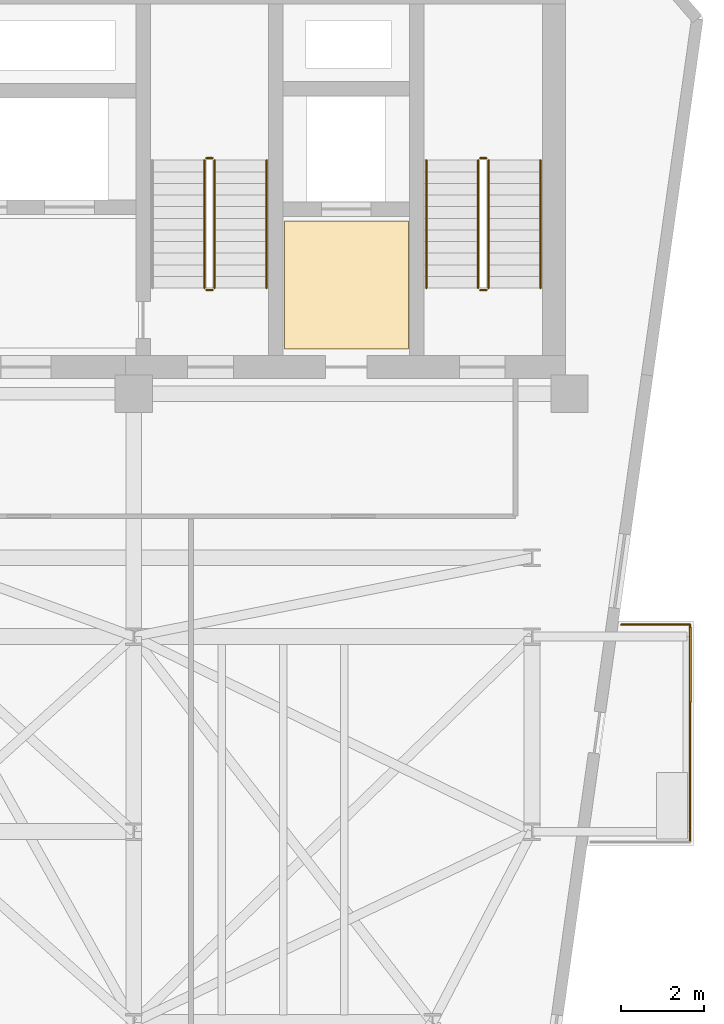
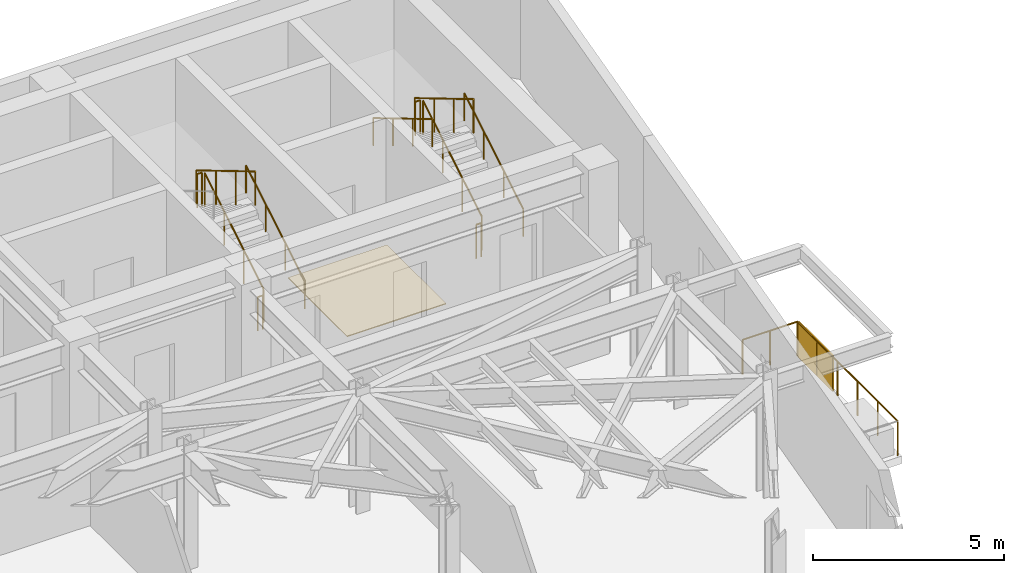
# One storey, part 21 of 21: 13 railings, 1 covering, 1 shading device.
"""IFC4 building model written with IfcOpenShell, lengths in metres."""

from ifc_helpers import new_model, si_unit, direction, frame, origin, origin_2d, place, context, subcontext, project, spatial, polyline, rectangle, circle, outline, extrude, material, layer, layer_set, type_object, element, save


model = new_model("IFC4")

# Units and contexts
model_context = context("Model", 3, precision=1e-05, world=origin(), true_north=direction((0.0, 1.0)))
body_context = subcontext(model_context, "Body", "Model", "MODEL_VIEW")
ifc_project = project(units=[si_unit("LENGTHUNIT", "METRE"), si_unit("AREAUNIT", "SQUARE_METRE"), si_unit("VOLUMEUNIT", "CUBIC_METRE"), si_unit("PLANEANGLEUNIT", "RADIAN"), si_unit("MASSUNIT", "GRAM", prefix="KILO")], contexts=[model_context])

# Site, building, storey
site_placement = place(None, origin())
site = spatial("IfcSite", under=ifc_project, at=site_placement, CompositionType="ELEMENT")
building_placement = place(site_placement, origin())
building = spatial("IfcBuilding", under=site, at=building_placement, Name="Kravanh Interchange Tower", CompositionType="ELEMENT")
storey_placement = place(building_placement, frame((0.0, 0.0, 192.5)))
storey = spatial("IfcBuildingStorey", under=building, at=storey_placement, Name="L46", CompositionType="ELEMENT", Elevation=192.5)

# Covering
ifc_material_1 = material(Name="Cementitious Terrazzo Tile")
ifc_layer_1 = layer(ifc_material_1, 0.030029296875)
ifc_layer_set_1 = layer_set([ifc_layer_1], Name="Honed Terrazzo Lobby Flooring 30mm")
covering_type = type_object("IfcCoveringType", Name="Honed Terrazzo Lobby Flooring 30mm", PredefinedType="FLOORING", material=ifc_layer_set_1)
covering_placement = place(storey_placement, origin())
element("IfcCovering", 1, at=covering_placement, inside=storey, type_object=covering_type, Name="L46 Service Lift Lobby Floor Finish", PredefinedType="FLOORING", context=body_context, shape_type="SweptSolid", body=[
    extrude(outline(polyline([(59.6298828125, 41.52001953125), (62.6201171875, 41.52001953125), (62.6201171875, 38.429931640625), (59.6298828125, 38.429931640625), (59.6298828125, 41.52001953125)])), origin(), (0.0, 0.0, 1.0), 0.030029296875),
])

# Shading device
ifc_material_2 = material(Name="Perforated Anodised Bronze Aluminium", Category="aluminium")
ifc_layer_2 = layer(ifc_material_2, 0.0400390625)
ifc_layer_set_2 = layer_set([ifc_layer_2], Name="Perforated Bronze Balcony Privacy Screen 1150mm")
shading_device_type = type_object("IfcShadingDeviceType", Name="Perforated Bronze Balcony Privacy Screen 1150mm", PredefinedType="USERDEFINED", material=ifc_layer_set_2)
shading_device_placement = place(storey_placement, frame((69.409912109375, 30.820068359375, 0.0), z_axis=(0.0, 0.0, 1.0), x_axis=(1.0, 0.0, 0.0)))
element("IfcShadingDevice", 2, at=shading_device_placement, inside=storey, type_object=shading_device_type, Name="L46 E Perforated Bronze BALCONY SCREEN", ObjectType="SCREEN", PredefinedType="USERDEFINED", context=body_context, shape_type="SweptSolid", body=[
    extrude(rectangle(XDim=0.0400390625, YDim=1.800048828125, at=origin_2d()), origin(), (0.0, 0.0, 1.0), 1.14990234375),
])

# Railings
ifc_material_3 = material(Name="Stainless Steel 316", Category="steel")
ifc_layer_3 = layer(ifc_material_3, 0.06005859375)
ifc_layer_set_3 = layer_set([ifc_layer_3], Name="Perimeter Balcony and Terrace Guardrail Stainless 316 1120mm")
railing_type_1 = type_object("IfcRailingType", Name="Perimeter Balcony and Terrace Guardrail Stainless 316 1120mm", PredefinedType="GUARDRAIL", material=ifc_layer_set_3)
railing_1_placement = place(storey_placement, frame((69.409912109375, 31.7900390625, 0.0)))
element("IfcRailing", 3, at=railing_1_placement, inside=storey, type_object=railing_type_1, Name="L46 E Balcony Guardrail 1", PredefinedType="GUARDRAIL", context=body_context, shape_type="SweptSolid", body=[
    extrude(circle(Radius=0.02392578125, at=origin_2d()), frame((0.0, 0.0, 1.09619140625), z_axis=(0.0, -1.0, 0.0), x_axis=(1.0, 0.0, 0.0)), (0.0, 0.0, 1.0), 5.239990234375),
    extrude(circle(Radius=0.02099609375, at=origin_2d()), origin(), (0.0, 0.0, 1.0), 1.072021484375),
    extrude(circle(Radius=0.02099609375, at=origin_2d()), frame((0.0, -1.048095703125, 0.0)), (0.0, 0.0, 1.0), 1.072021484375),
    extrude(circle(Radius=0.02099609375, at=origin_2d()), frame((0.0, -2.095947265625, 0.0)), (0.0, 0.0, 1.0), 1.072021484375),
    extrude(circle(Radius=0.02099609375, at=origin_2d()), frame((0.0, -3.14404296875, 0.0)), (0.0, 0.0, 1.0), 1.072021484375),
    extrude(circle(Radius=0.02099609375, at=origin_2d()), frame((0.0, -4.19189453125, 0.0)), (0.0, 0.0, 1.0), 1.072021484375),
    extrude(circle(Radius=0.02099609375, at=origin_2d()), frame((0.0, -5.239990234375, 0.0)), (0.0, 0.0, 1.0), 1.072021484375),
])
railing_2_placement = place(storey_placement, frame((67.747314453125, 31.7900390625, 0.0)))
element("IfcRailing", 4, at=railing_2_placement, inside=storey, type_object=railing_type_1, Name="L46 E Balcony Guardrail 3", PredefinedType="GUARDRAIL", context=body_context, shape_type="SweptSolid", body=[
    extrude(circle(Radius=0.02392578125, at=origin_2d()), frame((0.0, 0.0, 1.09619140625), z_axis=(1.0, 0.0, 0.0), x_axis=(0.0, 1.0, 0.0)), (0.0, 0.0, 1.0), 1.66259765625),
    extrude(circle(Radius=0.02099609375, at=origin_2d()), origin(), (0.0, 0.0, 1.0), 1.072021484375),
    extrude(circle(Radius=0.02099609375, at=origin_2d()), frame((0.831298828125, 0.0, 0.0)), (0.0, 0.0, 1.0), 1.072021484375),
    extrude(circle(Radius=0.02099609375, at=origin_2d()), frame((1.66259765625, 0.0, 0.0)), (0.0, 0.0, 1.0), 1.072021484375),
])
ifc_material_4 = material(Name="Structural Steel S355", Category="steel")
ifc_layer_4 = layer(ifc_material_4, 0.050048828125)
ifc_layer_set_4 = layer_set([ifc_layer_4], Name="Stair Well Guardrail Structural Steel S355 1100mm")
railing_type_2 = type_object("IfcRailingType", Name="Stair Well Guardrail Structural Steel S355 1100mm", PredefinedType="GUARDRAIL", material=ifc_layer_set_4)
railing_3_placement = place(storey_placement, frame((64.550048828125, 39.89990234375, 0.166748046875)))
element("IfcRailing", 5, at=railing_3_placement, inside=storey, type_object=railing_type_2, Name="L46 ST1 stair guard 1", PredefinedType="GUARDRAIL", context=body_context, shape_type="SweptSolid", body=[
    extrude(circle(Radius=0.02392578125, at=origin_2d()), frame((0.0, 0.0, 1.076171875), z_axis=(0.0, 0.859308565015, 0.511457515432), x_axis=(-1.0, 0.0, 0.0)), (0.0, 0.0, 1.0), 3.58447265625),
    extrude(circle(Radius=0.02099609375, at=origin_2d()), origin(), (0.0, 0.0, 1.0), 1.052001953125),
    extrude(circle(Radius=0.02099609375, at=origin_2d()), frame((0.0, 1.026611328125, 0.611083984375)), (0.0, 0.0, 1.0), 1.052001953125),
    extrude(circle(Radius=0.02099609375, at=origin_2d()), frame((0.0, 2.053466796875, 1.22216796875)), (0.0, 0.0, 1.0), 1.052001953125),
    extrude(circle(Radius=0.02099609375, at=origin_2d()), frame((0.0, 3.080078125, 1.833251953125)), (0.0, 0.0, 1.0), 1.052001953125),
])
railing_4_placement = place(storey_placement, frame((64.5, 43.030029296875, 2.0)))
element("IfcRailing", 6, at=railing_4_placement, inside=storey, type_object=railing_type_2, Name="L46 ST1 stair guard 2", PredefinedType="GUARDRAIL", context=body_context, shape_type="SweptSolid", body=[
    extrude(circle(Radius=0.02392578125, at=origin_2d()), frame((0.0, 0.0, 1.076171875), z_axis=(-1.0, 0.0, 0.0), x_axis=(0.0, -1.0, 0.0)), (0.0, 0.0, 1.0), 0.14990234375),
    extrude(circle(Radius=0.02099609375, at=origin_2d()), origin(), (0.0, 0.0, 1.0), 1.052001953125),
    extrude(circle(Radius=0.02099609375, at=origin_2d()), frame((-0.14990234375, 0.0, 0.0)), (0.0, 0.0, 1.0), 1.052001953125),
])
railing_5_placement = place(storey_placement, frame((64.300048828125, 42.97998046875, 2.166748046875)))
element("IfcRailing", 7, at=railing_5_placement, inside=storey, type_object=railing_type_2, Name="L46 ST1 stair guard 3", PredefinedType="GUARDRAIL", context=body_context, shape_type="SweptSolid", body=[
    extrude(circle(Radius=0.02392578125, at=origin_2d()), frame((0.0, 0.0, 1.076171875), z_axis=(0.0, -0.859308565015, 0.511457515432), x_axis=(1.0, 0.0, 0.0)), (0.0, 0.0, 1.0), 3.58447265625),
    extrude(circle(Radius=0.02099609375, at=origin_2d()), origin(), (0.0, 0.0, 1.0), 1.052001953125),
    extrude(circle(Radius=0.02099609375, at=origin_2d()), frame((0.0, -1.026611328125, 0.611083984375)), (0.0, 0.0, 1.0), 1.052001953125),
    extrude(circle(Radius=0.02099609375, at=origin_2d()), frame((0.0, -2.053466796875, 1.22216796875)), (0.0, 0.0, 1.0), 1.052001953125),
    extrude(circle(Radius=0.02099609375, at=origin_2d()), frame((0.0, -3.080078125, 1.833251953125)), (0.0, 0.0, 1.0), 1.052001953125),
])
railing_6_placement = place(storey_placement, frame((64.5, 39.85009765625, 0.0)))
element("IfcRailing", 8, at=railing_6_placement, inside=storey, type_object=railing_type_2, Name="L46 ST1 stair guard 4", PredefinedType="GUARDRAIL", context=body_context, shape_type="SweptSolid", body=[
    extrude(circle(Radius=0.02392578125, at=origin_2d()), frame((0.0, 0.0, 1.076171875), z_axis=(-1.0, 0.0, 0.0), x_axis=(0.0, -1.0, 0.0)), (0.0, 0.0, 1.0), 0.14990234375),
    extrude(circle(Radius=0.02099609375, at=origin_2d()), origin(), (0.0, 0.0, 1.0), 1.052001953125),
    extrude(circle(Radius=0.02099609375, at=origin_2d()), frame((-0.14990234375, 0.0, 0.0)), (0.0, 0.0, 1.0), 1.052001953125),
])
railing_7_placement = place(storey_placement, frame((57.949951171875, 39.89990234375, 0.166748046875)))
element("IfcRailing", 9, at=railing_7_placement, inside=storey, type_object=railing_type_2, Name="L46 ST2 stair guard 1", PredefinedType="GUARDRAIL", context=body_context, shape_type="SweptSolid", body=[
    extrude(circle(Radius=0.02392578125, at=origin_2d()), frame((0.0, 0.0, 1.076171875), z_axis=(0.0, 0.859308565015, 0.511457515432), x_axis=(-1.0, 0.0, 0.0)), (0.0, 0.0, 1.0), 3.58447265625),
    extrude(circle(Radius=0.02099609375, at=origin_2d()), origin(), (0.0, 0.0, 1.0), 1.052001953125),
    extrude(circle(Radius=0.02099609375, at=origin_2d()), frame((0.0, 1.026611328125, 0.611083984375)), (0.0, 0.0, 1.0), 1.052001953125),
    extrude(circle(Radius=0.02099609375, at=origin_2d()), frame((0.0, 2.053466796875, 1.22216796875)), (0.0, 0.0, 1.0), 1.052001953125),
    extrude(circle(Radius=0.02099609375, at=origin_2d()), frame((0.0, 3.080078125, 1.833251953125)), (0.0, 0.0, 1.0), 1.052001953125),
])
railing_8_placement = place(storey_placement, frame((57.89990234375, 43.030029296875, 2.0)))
element("IfcRailing", 10, at=railing_8_placement, inside=storey, type_object=railing_type_2, Name="L46 ST2 stair guard 2", PredefinedType="GUARDRAIL", context=body_context, shape_type="SweptSolid", body=[
    extrude(circle(Radius=0.02392578125, at=origin_2d()), frame((0.0, 0.0, 1.076171875), z_axis=(-1.0, 0.0, 0.0), x_axis=(0.0, -1.0, 0.0)), (0.0, 0.0, 1.0), 0.14990234375),
    extrude(circle(Radius=0.02099609375, at=origin_2d()), origin(), (0.0, 0.0, 1.0), 1.052001953125),
    extrude(circle(Radius=0.02099609375, at=origin_2d()), frame((-0.14990234375, 0.0, 0.0)), (0.0, 0.0, 1.0), 1.052001953125),
])
railing_9_placement = place(storey_placement, frame((57.699951171875, 42.97998046875, 2.166748046875)))
element("IfcRailing", 11, at=railing_9_placement, inside=storey, type_object=railing_type_2, Name="L46 ST2 stair guard 3", PredefinedType="GUARDRAIL", context=body_context, shape_type="SweptSolid", body=[
    extrude(circle(Radius=0.02392578125, at=origin_2d()), frame((0.0, 0.0, 1.076171875), z_axis=(0.0, -0.859308565015, 0.511457515432), x_axis=(1.0, 0.0, 0.0)), (0.0, 0.0, 1.0), 3.58447265625),
    extrude(circle(Radius=0.02099609375, at=origin_2d()), origin(), (0.0, 0.0, 1.0), 1.052001953125),
    extrude(circle(Radius=0.02099609375, at=origin_2d()), frame((0.0, -1.026611328125, 0.611083984375)), (0.0, 0.0, 1.0), 1.052001953125),
    extrude(circle(Radius=0.02099609375, at=origin_2d()), frame((0.0, -2.053466796875, 1.22216796875)), (0.0, 0.0, 1.0), 1.052001953125),
    extrude(circle(Radius=0.02099609375, at=origin_2d()), frame((0.0, -3.080078125, 1.833251953125)), (0.0, 0.0, 1.0), 1.052001953125),
])
railing_10_placement = place(storey_placement, frame((57.89990234375, 39.85009765625, 0.0)))
element("IfcRailing", 12, at=railing_10_placement, inside=storey, type_object=railing_type_2, Name="L46 ST2 stair guard 4", PredefinedType="GUARDRAIL", context=body_context, shape_type="SweptSolid", body=[
    extrude(circle(Radius=0.02392578125, at=origin_2d()), frame((0.0, 0.0, 1.076171875), z_axis=(-1.0, 0.0, 0.0), x_axis=(0.0, -1.0, 0.0)), (0.0, 0.0, 1.0), 0.14990234375),
    extrude(circle(Radius=0.02099609375, at=origin_2d()), origin(), (0.0, 0.0, 1.0), 1.052001953125),
    extrude(circle(Radius=0.02099609375, at=origin_2d()), frame((-0.14990234375, 0.0, 0.0)), (0.0, 0.0, 1.0), 1.052001953125),
])
ifc_material_5 = material(Name="Stainless Steel 304", Category="steel")
ifc_layer_5 = layer(ifc_material_5, 0.044921875)
ifc_layer_set_5 = layer_set([ifc_layer_5], Name="Tubular Stair Handrail Stainless 304 900mm")
railing_type_3 = type_object("IfcRailingType", Name="Tubular Stair Handrail Stainless 304 900mm", PredefinedType="HANDRAIL", material=ifc_layer_set_5)
railing_11_placement = place(storey_placement, frame((65.800048828125, 39.89990234375, 0.166748046875)))
element("IfcRailing", 13, at=railing_11_placement, inside=storey, type_object=railing_type_3, Name="L46 ST1 stair handrail 1", PredefinedType="HANDRAIL", context=body_context, shape_type="SweptSolid", body=[
    extrude(circle(Radius=0.02392578125, at=origin_2d()), frame((0.0, 0.0, 0.8759765625), z_axis=(0.0, 0.859308565015, 0.511457515432), x_axis=(-1.0, 0.0, 0.0)), (0.0, 0.0, 1.0), 3.58447265625),
    extrude(circle(Radius=0.02099609375, at=origin_2d()), origin(), (0.0, 0.0, 1.0), 0.851806640625),
    extrude(circle(Radius=0.02099609375, at=origin_2d()), frame((0.0, 1.026611328125, 0.611083984375)), (0.0, 0.0, 1.0), 0.851806640625),
    extrude(circle(Radius=0.02099609375, at=origin_2d()), frame((0.0, 2.053466796875, 1.22216796875)), (0.0, 0.0, 1.0), 0.851806640625),
    extrude(circle(Radius=0.02099609375, at=origin_2d()), frame((0.0, 3.080078125, 1.833251953125)), (0.0, 0.0, 1.0), 0.851806640625),
])
railing_12_placement = place(storey_placement, frame((63.050048828125, 42.97998046875, 2.166748046875)))
element("IfcRailing", 14, at=railing_12_placement, inside=storey, type_object=railing_type_3, Name="L46 ST1 stair handrail 2", PredefinedType="HANDRAIL", context=body_context, shape_type="SweptSolid", body=[
    extrude(circle(Radius=0.02392578125, at=origin_2d()), frame((0.0, 0.0, 0.8759765625), z_axis=(0.0, -0.859308565015, 0.511457515432), x_axis=(1.0, 0.0, 0.0)), (0.0, 0.0, 1.0), 3.58447265625),
    extrude(circle(Radius=0.02099609375, at=origin_2d()), origin(), (0.0, 0.0, 1.0), 0.851806640625),
    extrude(circle(Radius=0.02099609375, at=origin_2d()), frame((0.0, -1.026611328125, 0.611083984375)), (0.0, 0.0, 1.0), 0.851806640625),
    extrude(circle(Radius=0.02099609375, at=origin_2d()), frame((0.0, -2.053466796875, 1.22216796875)), (0.0, 0.0, 1.0), 0.851806640625),
    extrude(circle(Radius=0.02099609375, at=origin_2d()), frame((0.0, -3.080078125, 1.833251953125)), (0.0, 0.0, 1.0), 0.851806640625),
])
railing_13_placement = place(storey_placement, frame((59.199951171875, 39.89990234375, 0.166748046875)))
element("IfcRailing", 15, at=railing_13_placement, inside=storey, type_object=railing_type_3, Name="L46 ST2 stair handrail 1", PredefinedType="HANDRAIL", context=body_context, shape_type="SweptSolid", body=[
    extrude(circle(Radius=0.02392578125, at=origin_2d()), frame((0.0, 0.0, 0.8759765625), z_axis=(0.0, 0.859308565015, 0.511457515432), x_axis=(-1.0, 0.0, 0.0)), (0.0, 0.0, 1.0), 3.58447265625),
    extrude(circle(Radius=0.02099609375, at=origin_2d()), origin(), (0.0, 0.0, 1.0), 0.851806640625),
    extrude(circle(Radius=0.02099609375, at=origin_2d()), frame((0.0, 1.026611328125, 0.611083984375)), (0.0, 0.0, 1.0), 0.851806640625),
    extrude(circle(Radius=0.02099609375, at=origin_2d()), frame((0.0, 2.053466796875, 1.22216796875)), (0.0, 0.0, 1.0), 0.851806640625),
    extrude(circle(Radius=0.02099609375, at=origin_2d()), frame((0.0, 3.080078125, 1.833251953125)), (0.0, 0.0, 1.0), 0.851806640625),
])

save(model, "model.ifc")
